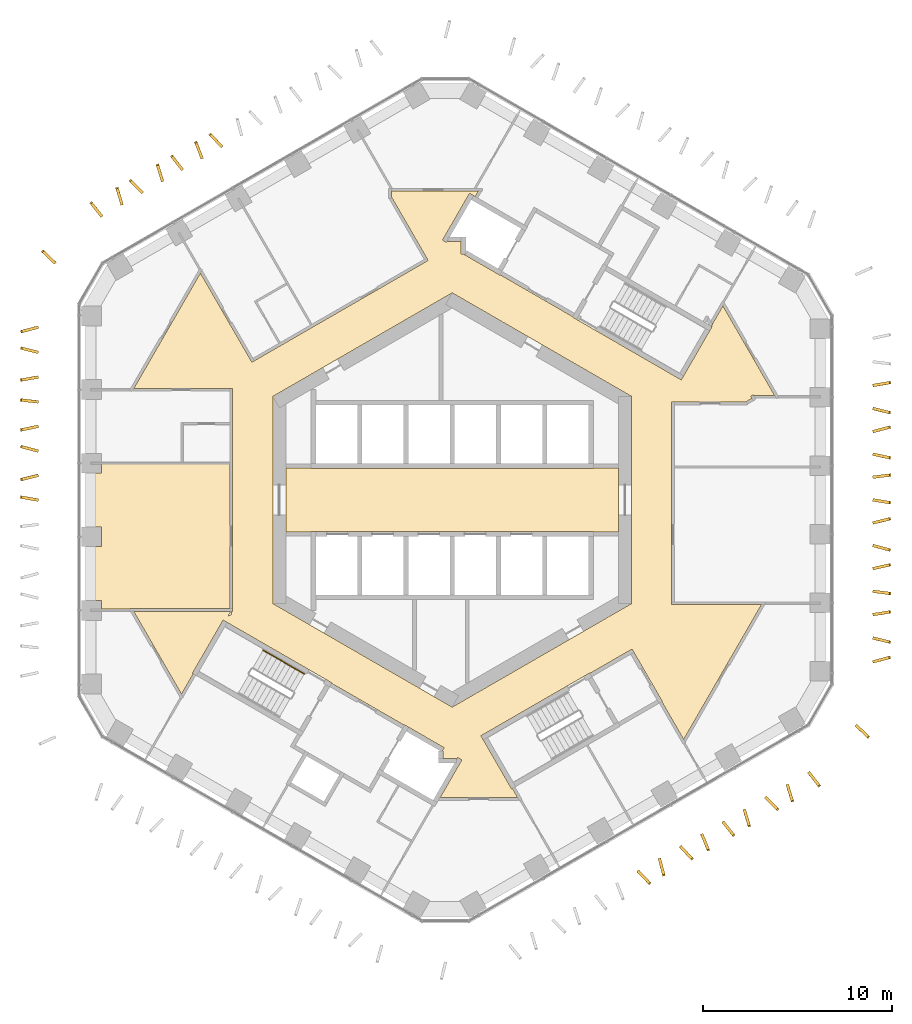
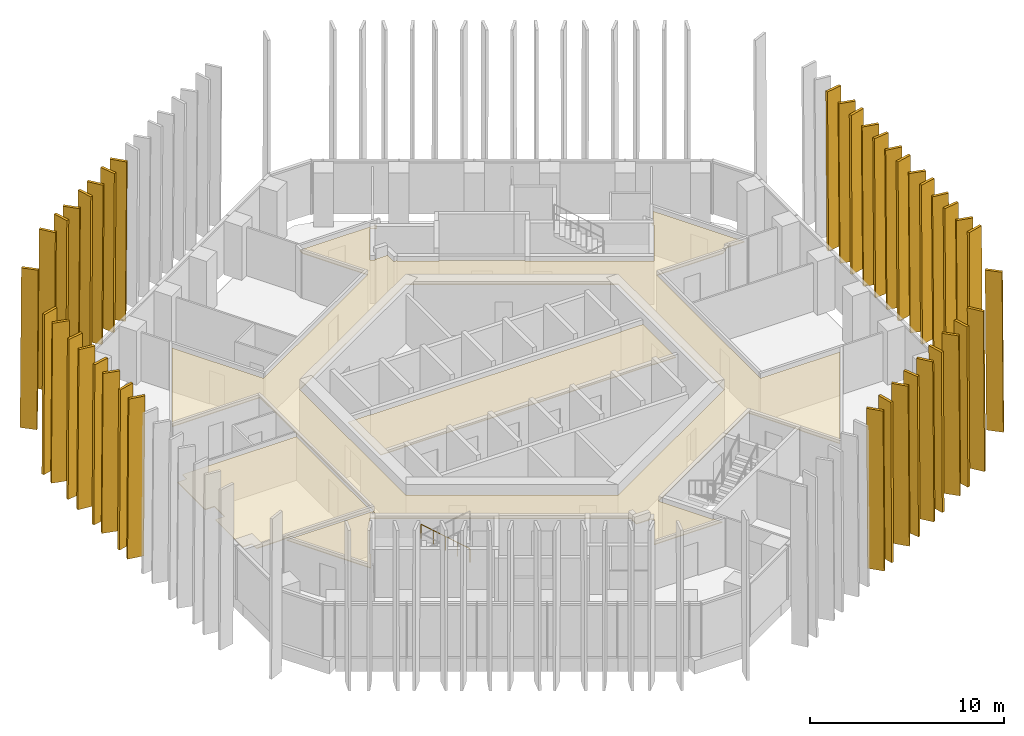
# One storey, part 18 of 19: 39 shading devices, 3 coverings, 2 railings.
"""IFC4 building model written with IfcOpenShell, lengths in metres."""

from ifc_helpers import new_model, si_unit, direction, frame, origin, origin_2d, place, context, subcontext, project, spatial, polyline, circle, outline, extrude, material, layer, layer_set, type_object, element, save


model = new_model("IFC4")

# Units and contexts
model_context = context("Model", 3, precision=1e-05, world=origin(), true_north=direction((0.0, 1.0)))
body_context = subcontext(model_context, "Body", "Model", "MODEL_VIEW")
ifc_project = project(units=[si_unit("LENGTHUNIT", "METRE"), si_unit("AREAUNIT", "SQUARE_METRE"), si_unit("VOLUMEUNIT", "CUBIC_METRE"), si_unit("PLANEANGLEUNIT", "RADIAN"), si_unit("MASSUNIT", "GRAM", prefix="KILO")], contexts=[model_context])

# Site, building, storey
site_placement = place(None, origin())
site = spatial("IfcSite", under=ifc_project, at=site_placement, CompositionType="ELEMENT")
building_placement = place(site_placement, origin())
building = spatial("IfcBuilding", under=site, at=building_placement, Name="Ayvan Gate Tower", CompositionType="ELEMENT")
storey_placement = place(building_placement, frame((0.0, 0.0, 103.5)))
storey = spatial("IfcBuildingStorey", under=building, at=storey_placement, Name="L27", CompositionType="ELEMENT", Elevation=103.5)

# Shading devices
ifc_material_1 = material(Name="Bronze anodised aluminium", Category="aluminium")
ifc_layer_1 = layer(ifc_material_1, 0.14990234375)
ifc_layer_set_1 = layer_set([ifc_layer_1], Name="Bronze anodised aluminium")
shading_device_type = type_object("IfcShadingDeviceType", Name="Bronze fin 900 x 150", PredefinedType="USERDEFINED", material=ifc_layer_set_1)
shading_device_1_placement = place(storey_placement, frame((-12.169921875, 18.79052734375, 0.0), z_axis=(0.729266398024, 0.684229857075, 0.000152973453), x_axis=(-0.68422986508, 0.729266406557, 0.0)))
element("IfcShadingDevice", 1, at=shading_device_1_placement, inside=storey, type_object=shading_device_type, Name="Bronze fin FG09.1.9", ObjectType="FIN", PredefinedType="USERDEFINED", context=body_context, shape_type="SweptSolid", body=[
    extrude(outline(polyline([(0.0, 0.0), (0.8998769093156884, 1.3552527156068805e-20), (0.8290121296179747, 10.080078242941338), (-0.07086477969771379, 10.080078242941338), (0.0, 0.0)])), origin(), (0.0, 0.0, -1.0), 0.14990234375),
])
shading_device_2_placement = place(storey_placement, frame((-13.192626953125, 18.168212890625, 0.0), z_axis=(0.929854955942, 0.367926267948, 0.000149210287), x_axis=(-0.367926272044, 0.929854966293, 0.0)))
element("IfcShadingDevice", 2, at=shading_device_2_placement, inside=storey, type_object=shading_device_type, Name="Bronze fin FG09.1.10", ObjectType="FIN", PredefinedType="USERDEFINED", context=body_context, shape_type="SweptSolid", body=[
    extrude(outline(polyline([(0.0, 0.0), (0.8997853990180332, 6.776263578034403e-21), (0.8289648169115514, 10.08007823720997), (-0.0708205821064818, 10.08007823720997), (0.0, 0.0)])), origin(), (0.0, 0.0, -1.0), 0.14990234375),
])
shading_device_3_placement = place(storey_placement, frame((-14.258544921875, 17.577392578125, 0.0), z_axis=(0.787545056247, 0.616257057962, 0.000151301254), x_axis=(-0.616257065015, 0.787545065263, -1.2644e-08)))
element("IfcShadingDevice", 3, at=shading_device_3_placement, inside=storey, type_object=shading_device_type, Name="Bronze fin FG09.1.11", ObjectType="FIN", PredefinedType="USERDEFINED", context=body_context, shape_type="SweptSolid", body=[
    extrude(outline(polyline([(0.0, 0.0), (0.9001872366298778, -1.3552527156068805e-20), (0.8292089037292933, 10.080078250861376), (-0.07078606115613549, 10.080078228100023), (0.0, 0.0)])), origin(), (0.0, 0.0, -1.0), 0.14990234375),
])
shading_device_4_placement = place(storey_placement, frame((-15.283447265625, 16.95361328125, 0.0), z_axis=(0.956054197166, 0.293189953797, 0.000151901655), x_axis=(-0.29318995718, 0.956054208196, 0.0)))
element("IfcShadingDevice", 4, at=shading_device_4_placement, inside=storey, type_object=shading_device_type, Name="Bronze fin FG09.1.12", ObjectType="FIN", PredefinedType="USERDEFINED", context=body_context, shape_type="SweptSolid", body=[
    extrude(outline(polyline([(0.0, 0.0), (0.9001536688480408, 0.0), (0.8293770256098006, 10.080078241294432), (-0.07077664323824029, 10.080078241294432), (0.0, 0.0)])), origin(), (0.0, 0.0, -1.0), 0.14990234375),
])
shading_device_5_placement = place(storey_placement, frame((-16.37939453125, 16.362548828125, 0.0), z_axis=(0.707106772787, 0.707106772787, 0.00015413585), x_axis=(-0.707106781187, 0.707106781187, 0.0)))
element("IfcShadingDevice", 5, at=shading_device_5_placement, inside=storey, type_object=shading_device_type, Name="Bronze fin FG09.1.13", ObjectType="FIN", PredefinedType="USERDEFINED", context=body_context, shape_type="SweptSolid", body=[
    extrude(outline(polyline([(0.0, 0.0), (0.8997657577012417, 0.0), (0.8291586596774874, 10.080078244740545), (-0.07095236500675563, 10.080078244740545), (0.0, 0.0)])), origin(), (0.0, 0.0, -1.0), 0.14990234375),
])
shading_device_6_placement = place(storey_placement, frame((-17.4287109375, 15.714599609375, 0.0), z_axis=(0.957527130229, 0.288343155647, 0.000139522967), x_axis=(-0.288343158453, 0.957527139549, 0.0)))
element("IfcShadingDevice", 6, at=shading_device_6_placement, inside=storey, type_object=shading_device_type, Name="Bronze fin FG09.1.14", ObjectType="FIN", PredefinedType="USERDEFINED", context=body_context, shape_type="SweptSolid", body=[
    extrude(outline(polyline([(0.0, 0.0), (0.9000438427842659, 1.3552527156068805e-20), (0.82933074749775, 10.08007822311272), (-0.07071309528651587, 10.08007822311272), (0.0, 0.0)])), origin(), (0.0, 0.0, -1.0), 0.14990234375),
])
shading_device_7_placement = place(storey_placement, frame((-18.533203125, 15.10986328125, 0.0), z_axis=(0.784691755216, 0.619886140249, 0.000149742887), x_axis=(-0.619886147197, 0.784691764015, -1.2589e-08)))
element("IfcShadingDevice", 7, at=shading_device_7_placement, inside=storey, type_object=shading_device_type, Name="Bronze fin FG09.1.15", ObjectType="FIN", PredefinedType="USERDEFINED", context=body_context, shape_type="SweptSolid", body=[
    extrude(outline(polyline([(0.0, 0.0), (0.9000373827248702, 0.0), (0.8291074303798363, 10.080078248450485), (-0.07073837720733502, 10.0800782257909), (0.0, 0.0)])), origin(), (0.0, 0.0, -1.0), 0.14990234375),
])
shading_device_8_placement = place(storey_placement, frame((-21.0087890625, 12.63330078125, 0.0), z_axis=(0.69015628431, 0.723660333489, 0.000157993895), x_axis=(-0.723660342523, 0.690156292922, 1.4789e-08)))
element("IfcShadingDevice", 8, at=shading_device_8_placement, inside=storey, type_object=shading_device_type, Name="Bronze fin FG09.2.16", ObjectType="FIN", PredefinedType="USERDEFINED", context=body_context, shape_type="SweptSolid", body=[
    extrude(outline(polyline([(0.0, 0.0), (0.900020362071362, 0.0), (0.8290839704719735, 10.080078238548303), (-0.07075971671107735, 10.0800782651669), (0.0, 0.0)])), origin(), (0.0, 0.0, -1.0), 0.14990234375),
])
shading_device_9_placement = place(storey_placement, frame((-22.003662109375, 9.210205078125, 0.0), z_axis=(-0.255914923378, 0.966699297212, 0.000144088029), x_axis=(-0.966699307247, -0.255914926037, 1.889e-08)))
element("IfcShadingDevice", 9, at=shading_device_9_placement, inside=storey, type_object=shading_device_type, Name="Bronze fin FG09.3.17", ObjectType="FIN", PredefinedType="USERDEFINED", context=body_context, shape_type="SweptSolid", body=[
    extrude(outline(polyline([(0.0, 0.0), (0.9001220754898889, -6.776263578034403e-21), (0.8292562174290887, 10.080078213973565), (-0.07080337883081052, 10.080078247978683), (0.0, 0.0)])), origin(), (0.0, 0.0, -1.0), 0.14990234375),
])
shading_device_10_placement = place(storey_placement, frame((-21.966552734375, 7.905517578125, 0.0), z_axis=(0.242535622626, 0.970142490504, 0.000140981761), x_axis=(-0.970142500145, 0.242535625036, 0.0)))
element("IfcShadingDevice", 10, at=shading_device_10_placement, inside=storey, type_object=shading_device_type, Name="Bronze fin FG09.3.18", ObjectType="FIN", PredefinedType="USERDEFINED", context=body_context, shape_type="SweptSolid", body=[
    extrude(outline(polyline([(0.0, 0.0), (0.8999161204351046, 0.0), (0.829097612734066, 10.080078225175095), (-0.07081850770103863, 10.080078225175095), (0.0, 0.0)])), origin(), (0.0, 0.0, -1.0), 0.14990234375),
])
shading_device_11_placement = place(storey_placement, frame((-21.997802734375, 6.573486328125, 0.0), z_axis=(-0.170488250653, 0.985359698486, 0.000144878341), x_axis=(-0.985359708827, -0.170488252439, -2.271e-08)))
element("IfcShadingDevice", 11, at=shading_device_11_placement, inside=storey, type_object=shading_device_type, Name="Bronze fin FG09.3.19", ObjectType="FIN", PredefinedType="USERDEFINED", context=body_context, shape_type="SweptSolid", body=[
    extrude(outline(polyline([(0.0, 0.0), (0.9001168077884298, -6.776263578034403e-21), (0.8292842470132933, 10.080078249622051), (-0.07063361754847933, 10.080078208743432), (0.0, 0.0)])), origin(), (0.0, 0.0, -1.0), 0.14990234375),
])
shading_device_12_placement = place(storey_placement, frame((-21.976806640625, 5.2734375, 0.0), z_axis=(0.115566216102, 0.993299765861, 0.00015759309), x_axis=(-0.993299778196, 0.115566217537, -2.471e-09)))
element("IfcShadingDevice", 12, at=shading_device_12_placement, inside=storey, type_object=shading_device_type, Name="Bronze fin FG09.3.20", ObjectType="FIN", PredefinedType="USERDEFINED", context=body_context, shape_type="SweptSolid", body=[
    extrude(outline(polyline([(0.0, 0.0), (0.8998295157827781, 0.0), (0.8291020287091718, 10.080078252220758), (-0.07096999190226738, 10.080078247773763), (0.0, 0.0)])), origin(), (0.0, 0.0, -1.0), 0.14990234375),
])
shading_device_13_placement = place(storey_placement, frame((-22.00048828125, 3.963134765625, 0.0), z_axis=(-0.208176655792, 0.978091232295, 0.000145911033), x_axis=(-0.978091242708, -0.208176658005, -1.9355e-08)))
element("IfcShadingDevice", 13, at=shading_device_13_placement, inside=storey, type_object=shading_device_type, Name="Bronze fin FG09.3.21", ObjectType="FIN", PredefinedType="USERDEFINED", context=body_context, shape_type="SweptSolid", body=[
    extrude(outline(polyline([(0.0, 0.0), (0.9000655561265855, 0.0), (0.8292651794537111, 10.08007824835339), (-0.07085120105227016, 10.080078213510046), (0.0, 0.0)])), origin(), (0.0, 0.0, -1.0), 0.14990234375),
])
shading_device_14_placement = place(storey_placement, frame((-21.96533203125, 2.677734375, 0.0), z_axis=(0.256075224563, 0.966656846113, 0.000145698451), x_axis=(-0.966656856373, 0.256075227282, -5.061e-09)))
element("IfcShadingDevice", 14, at=shading_device_14_placement, inside=storey, type_object=shading_device_type, Name="Bronze fin FG09.3.22", ObjectType="FIN", PredefinedType="USERDEFINED", context=body_context, shape_type="SweptSolid", body=[
    extrude(outline(polyline([(0.0, 0.0), (0.8998860824732329, 0.0), (0.8292765040511304, 10.0800782361872), (-0.07084557863117784, 10.080078227077177), (0.0, 0.0)])), origin(), (0.0, 0.0, -1.0), 0.14990234375),
])
shading_device_15_placement = place(storey_placement, frame((-22.0029296875, 1.36376953125, 0.0), z_axis=(-0.242918566975, 0.97004667281, 0.000149630499), x_axis=(-0.970046683669, -0.242918569697, 1.9686e-08)))
element("IfcShadingDevice", 15, at=shading_device_15_placement, inside=storey, type_object=shading_device_type, Name="Bronze fin FG09.3.23", ObjectType="FIN", PredefinedType="USERDEFINED", context=body_context, shape_type="SweptSolid", body=[
    extrude(outline(polyline([(0.0, 0.0), (0.900034662902165, 0.0), (0.8291576839711273, 10.080078221519853), (-0.07081767263960788, 10.080078256955348), (0.0, 0.0)])), origin(), (0.0, 0.0, -1.0), 0.14990234375),
])
shading_device_16_placement = place(storey_placement, frame((-21.97216796875, 0.0791015625, 0.0), z_axis=(0.172663272316, 0.984980898315, 0.000156035365), x_axis=(-0.984980910306, 0.172663274421, -2.0845e-08)))
element("IfcShadingDevice", 16, at=shading_device_16_placement, inside=storey, type_object=shading_device_type, Name="Bronze fin FG09.3.24", ObjectType="FIN", PredefinedType="USERDEFINED", context=body_context, shape_type="SweptSolid", body=[
    extrude(outline(polyline([(0.0, 0.0), (0.9000127419739711, -3.3881317890172014e-21), (0.8290746983343412, 10.080078264992487), (-0.07089588951989839, 10.080078227470938), (0.0, 0.0)])), origin(), (0.0, 0.0, -1.0), 0.14990234375),
])
shading_device_17_placement = place(storey_placement, frame((9.81982421875, -19.736572265625, 0.0), z_axis=(-0.725378595852, -0.68835010732, 0.000149771304), x_axis=(0.688350115039, -0.725378603989, -1.4737e-08)))
element("IfcShadingDevice", 17, at=shading_device_17_placement, inside=storey, type_object=shading_device_type, Name="Bronze fin FG09.7.55", ObjectType="FIN", PredefinedType="USERDEFINED", context=body_context, shape_type="SweptSolid", body=[
    extrude(outline(polyline([(0.0, 0.0), (0.8999039621391451, 1.3552527156068805e-20), (0.8290579463312783, 10.08007825027313), (-0.07101407003517148, 10.080078223746996), (0.0, 0.0)])), origin(), (0.0, 0.0, -1.0), 0.14990234375),
])
shading_device_18_placement = place(storey_placement, frame((10.9130859375, -19.0625, 0.0), z_axis=(-0.965860211114, -0.259063755544, 0.000152152989), x_axis=(0.259063758543, -0.965860222294, 5.347e-09)))
element("IfcShadingDevice", 18, at=shading_device_18_placement, inside=storey, type_object=shading_device_type, Name="Bronze fin FG09.7.56", ObjectType="FIN", PredefinedType="USERDEFINED", context=body_context, shape_type="SweptSolid", body=[
    extrude(outline(polyline([(0.0, 0.0), (0.8998701857360256, -6.776263578034403e-21), (0.8292447216165261, 10.080078237245544), (-0.07086126983783307, 10.080078246870174), (0.0, 0.0)])), origin(), (0.0, 0.0, -1.0), 0.14990234375),
])
shading_device_19_placement = place(storey_placement, frame((12.068115234375, -18.4375, 0.0), z_axis=(-0.733845813667, -0.679316050803, 0.000157750116), x_axis=(0.679316059255, -0.733845822798, 0.0)))
element("IfcShadingDevice", 19, at=shading_device_19_placement, inside=storey, type_object=shading_device_type, Name="Bronze fin FG09.7.57", ObjectType="FIN", PredefinedType="USERDEFINED", context=body_context, shape_type="SweptSolid", body=[
    extrude(outline(polyline([(0.0, 0.0), (0.8999170808211545, 0.0), (0.8291960781541257, 10.080078250421876), (-0.07072100266702883, 10.080078250421876), (0.0, 0.0)])), origin(), (0.0, 0.0, -1.0), 0.14990234375),
])
shading_device_20_placement = place(storey_placement, frame((13.169189453125, -17.771484375, 0.0), z_axis=(-0.92562471032, -0.378442693698, 0.00015241717), x_axis=(0.378442698094, -0.925624721072, 0.0)))
element("IfcShadingDevice", 20, at=shading_device_20_placement, inside=storey, type_object=shading_device_type, Name="Bronze fin FG09.7.58", ObjectType="FIN", PredefinedType="USERDEFINED", context=body_context, shape_type="SweptSolid", body=[
    extrude(outline(polyline([(0.0, 0.0), (0.8999411894868824, 0.0), (0.8290910088198293, 10.08007824208512), (-0.07085018066705297, 10.08007824208512), (0.0, 0.0)])), origin(), (0.0, 0.0, -1.0), 0.14990234375),
])
shading_device_21_placement = place(storey_placement, frame((14.312255859375, -17.13623046875, 0.0), z_axis=(-0.780114025141, -0.625637343181, 0.000150321243), x_axis=(0.625637350251, -0.780114033953, 1.5903e-08)))
element("IfcShadingDevice", 21, at=shading_device_21_placement, inside=storey, type_object=shading_device_type, Name="Bronze fin FG09.7.59", ObjectType="FIN", PredefinedType="USERDEFINED", context=body_context, shape_type="SweptSolid", body=[
    extrude(outline(polyline([(0.0, 0.0), (0.9001350900094675, 1.3552527156068805e-20), (0.8292944205275393, 10.080078225698802), (-0.07068792598821454, 10.080078254326185), (0.0, 0.0)])), origin(), (0.0, 0.0, -1.0), 0.14990234375),
])
shading_device_22_placement = place(storey_placement, frame((15.4130859375, -16.467041015625, 0.0), z_axis=(-0.958254506114, -0.285916560352, 0.000148422826), x_axis=(0.285916563502, -0.958254516668, 5.757e-09)))
element("IfcShadingDevice", 22, at=shading_device_22_placement, inside=storey, type_object=shading_device_type, Name="Bronze fin FG09.7.60", ObjectType="FIN", PredefinedType="USERDEFINED", context=body_context, shape_type="SweptSolid", body=[
    extrude(outline(polyline([(0.0, 0.0), (0.8998806178719633, 6.776263578034403e-21), (0.829234048569694, 10.080078231255154), (-0.07088051815887769, 10.080078241616985), (0.0, 0.0)])), origin(), (0.0, 0.0, -1.0), 0.14990234375),
])
shading_device_23_placement = place(storey_placement, frame((16.5791015625, -15.8359375, 0.0), z_axis=(-0.707242376875, -0.706971142981, 0.000152789137), x_axis=(0.706971151236, -0.707242385127, 2.9304e-08)))
element("IfcShadingDevice", 23, at=shading_device_23_placement, inside=storey, type_object=shading_device_type, Name="Bronze fin FG09.7.61", ObjectType="FIN", PredefinedType="USERDEFINED", context=body_context, shape_type="SweptSolid", body=[
    extrude(outline(polyline([(0.0, 0.0), (0.9001110081294403, 1.3552527156068805e-20), (0.8293313084220133, 10.080078218354883), (-0.0707797659266385, 10.080078271107928), (0.0, 0.0)])), origin(), (0.0, 0.0, -1.0), 0.14990234375),
])
shading_device_24_placement = place(storey_placement, frame((17.69140625, -15.152587890625, 0.0), z_axis=(-0.955361567871, -0.295439087722, 0.000141708499), x_axis=(0.295439090689, -0.955361577463, 5.68e-09)))
element("IfcShadingDevice", 24, at=shading_device_24_placement, inside=storey, type_object=shading_device_type, Name="Bronze fin FG09.7.62", ObjectType="FIN", PredefinedType="USERDEFINED", context=body_context, shape_type="SweptSolid", body=[
    extrude(outline(polyline([(0.0, 0.0), (0.8997952353535237, 1.3552527156068805e-20), (0.8291835626768105, 10.080078221500965), (-0.07084491524933605, 10.080078231723538), (0.0, 0.0)])), origin(), (0.0, 0.0, -1.0), 0.14990234375),
])
shading_device_25_placement = place(storey_placement, frame((18.857177734375, -14.5107421875, 0.0), z_axis=(-0.791225336151, -0.611524689871, 0.000145293602), x_axis=(0.611524696327, -0.791225344502, 1.559e-08)))
element("IfcShadingDevice", 25, at=shading_device_25_placement, inside=storey, type_object=shading_device_type, Name="Bronze fin FG09.7.63", ObjectType="FIN", PredefinedType="USERDEFINED", context=body_context, shape_type="SweptSolid", body=[
    extrude(outline(polyline([(0.0, 0.0), (0.9001446582347326, -2.710505431213761e-20), (0.8293075893733802, 10.080078218467538), (-0.0706877708397879, 10.080078246531611), (0.0, 0.0)])), origin(), (0.0, 0.0, -1.0), 0.14990234375),
])
shading_device_26_placement = place(storey_placement, frame((21.365234375, -12.0166015625, 0.0), z_axis=(-0.685982090537, -0.727618409595, 0.000146561603), x_axis=(0.727618417411, -0.685982097903, 1.3634e-08)))
element("IfcShadingDevice", 26, at=shading_device_26_placement, inside=storey, type_object=shading_device_type, Name="Bronze fin FG09.8.64", ObjectType="FIN", PredefinedType="USERDEFINED", context=body_context, shape_type="SweptSolid", body=[
    extrude(outline(polyline([(0.0, 0.0), (0.900158432498066, 1.3552527156068805e-20), (0.8293891904675741, 10.080078221953658), (-0.07059160081530376, 10.0800782464968), (0.0, 0.0)])), origin(), (0.0, 0.0, -1.0), 0.14990234375),
])
shading_device_27_placement = place(storey_placement, frame((22.35986328125, -8.629150390625, 0.0), z_axis=(0.25769641441, -0.966225924345, 0.000145340052), x_axis=(0.96622593455, 0.257696417132, 0.0)))
element("IfcShadingDevice", 27, at=shading_device_27_placement, inside=storey, type_object=shading_device_type, Name="Bronze fin FG09.9.65", ObjectType="FIN", PredefinedType="USERDEFINED", context=body_context, shape_type="SweptSolid", body=[
    extrude(outline(polyline([(0.0, 0.0), (0.9000264587751636, 6.776263578034403e-21), (0.8291629904340367, 10.08007823146443), (-0.07086346834112686, 10.08007823146443), (0.0, 0.0)])), origin(), (0.0, 0.0, -1.0), 0.14990234375),
])
shading_device_28_placement = place(storey_placement, frame((22.322998046875, -7.396240234375, 0.0), z_axis=(-0.236978036754, -0.971514996698, 0.000145902368), x_axis=(0.971515007038, -0.236978039279, -1.9227e-08)))
element("IfcShadingDevice", 28, at=shading_device_28_placement, inside=storey, type_object=shading_device_type, Name="Bronze fin FG09.9.66", ObjectType="FIN", PredefinedType="USERDEFINED", context=body_context, shape_type="SweptSolid", body=[
    extrude(outline(polyline([(0.0, 0.0), (0.899930187141573, -6.776263578034403e-21), (0.829178637150433, 10.080078248232514), (-0.07069369402451904, 10.080078213627587), (0.0, 0.0)])), origin(), (0.0, 0.0, -1.0), 0.14990234375),
])
shading_device_29_placement = place(storey_placement, frame((22.353271484375, -6.136474609375, 0.0), z_axis=(0.158699344076, -0.9873269449, 0.000148541553), x_axis=(0.987326955792, 0.158699345828, 3.198e-09)))
element("IfcShadingDevice", 29, at=shading_device_29_placement, inside=storey, type_object=shading_device_type, Name="Bronze fin FG09.9.67", ObjectType="FIN", PredefinedType="USERDEFINED", context=body_context, shape_type="SweptSolid", body=[
    extrude(outline(polyline([(0.0, 0.0), (0.8998344505461328, -3.3881317890172014e-21), (0.8291043045234642, 10.080078233554984), (-0.07097119264273506, 10.080078239310991), (0.0, 0.0)])), origin(), (0.0, 0.0, -1.0), 0.14990234375),
])
shading_device_30_placement = place(storey_placement, frame((22.331787109375, -4.91650390625, 0.0), z_axis=(-0.12857378811, -0.991699935297, 0.000139082058), x_axis=(0.991699944888, -0.128573789354, 0.0)))
element("IfcShadingDevice", 30, at=shading_device_30_placement, inside=storey, type_object=shading_device_type, Name="Bronze fin FG09.9.68", ObjectType="FIN", PredefinedType="USERDEFINED", context=body_context, shape_type="SweptSolid", body=[
    extrude(outline(polyline([(0.0, 0.0), (0.9000485777990384, 0.0), (0.8292120160009138, 10.080078222493606), (-0.07083656179812456, 10.080078222493606), (0.0, 0.0)])), origin(), (0.0, 0.0, -1.0), 0.14990234375),
])
shading_device_31_placement = place(storey_placement, frame((22.357177734375, -3.695068359375, 0.0), z_axis=(0.216729406107, -0.976231705354, 0.000148291841), x_axis=(0.976231716088, 0.21672940849, 0.0)))
element("IfcShadingDevice", 31, at=shading_device_31_placement, inside=storey, type_object=shading_device_type, Name="Bronze fin FG09.9.69", ObjectType="FIN", PredefinedType="USERDEFINED", context=body_context, shape_type="SweptSolid", body=[
    extrude(outline(polyline([(0.0, 0.0), (0.9000548690388707, 0.0), (0.8291125801304399, 10.080078235832831), (-0.0709422889084308, 10.080078235832831), (0.0, 0.0)])), origin(), (0.0, 0.0, -1.0), 0.14990234375),
])
shading_device_32_placement = place(storey_placement, frame((22.3212890625, -2.499267578125, 0.0), z_axis=(-0.25782303078, -0.966192146911, 0.000141586956), x_axis=(0.966192156595, -0.257823033367, -1.8553e-08)))
element("IfcShadingDevice", 32, at=shading_device_32_placement, inside=storey, type_object=shading_device_type, Name="Bronze fin FG09.9.70", ObjectType="FIN", PredefinedType="USERDEFINED", context=body_context, shape_type="SweptSolid", body=[
    extrude(outline(polyline([(0.0, 0.0), (0.9000893961237624, 6.776263578034403e-21), (0.8291782527146576, 10.08007824142063), (-0.07084819833259905, 10.080078208023311), (0.0, 0.0)])), origin(), (0.0, 0.0, -1.0), 0.14990234375),
])
shading_device_33_placement = place(storey_placement, frame((22.358642578125, -1.274658203125, 0.0), z_axis=(0.237680660575, -0.971343338878, 0.00014699178), x_axis=(0.971343349371, 0.237680663142, 0.0)))
element("IfcShadingDevice", 33, at=shading_device_33_placement, inside=storey, type_object=shading_device_type, Name="Bronze fin FG09.9.71", ObjectType="FIN", PredefinedType="USERDEFINED", context=body_context, shape_type="SweptSolid", body=[
    extrude(outline(polyline([(0.0, 0.0), (0.8998089481598173, 6.776263578034403e-21), (0.8290413579132112, 10.080078233898025), (-0.07076759024660603, 10.080078233898025), (0.0, 0.0)])), origin(), (0.0, 0.0, -1.0), 0.14990234375),
])
shading_device_34_placement = place(storey_placement, frame((22.328857421875, -0.07861328125, 0.0), z_axis=(-0.163299176419, -0.986576585774, 0.000139224321), x_axis=(0.986576595336, -0.163299178002, 0.0)))
element("IfcShadingDevice", 34, at=shading_device_34_placement, inside=storey, type_object=shading_device_type, Name="Bronze fin FG09.9.72", ObjectType="FIN", PredefinedType="USERDEFINED", context=body_context, shape_type="SweptSolid", body=[
    extrude(outline(polyline([(0.0, 0.0), (0.9000207964825616, 3.3881317890172014e-21), (0.8292617178437107, 10.080078222693151), (-0.070759078638851, 10.080078222693151), (0.0, 0.0)])), origin(), (0.0, 0.0, -1.0), 0.14990234375),
])
shading_device_35_placement = place(storey_placement, frame((22.3505859375, 1.139404296875, 0.0), z_axis=(0.121931150137, -0.992538550285, 0.000144308641), x_axis=(0.992538560619, 0.12193115141, 1.9426e-08)))
element("IfcShadingDevice", 35, at=shading_device_35_placement, inside=storey, type_object=shading_device_type, Name="Bronze fin FG09.9.73", ObjectType="FIN", PredefinedType="USERDEFINED", context=body_context, shape_type="SweptSolid", body=[
    extrude(outline(polyline([(0.0, 0.0), (0.9000409207616651, -3.3881317890172014e-21), (0.8291178796257048, 10.080078213852136), (-0.07089327278844806, 10.080078248820282), (0.0, 0.0)])), origin(), (0.0, 0.0, -1.0), 0.14990234375),
])
shading_device_36_placement = place(storey_placement, frame((22.324951171875, 2.33984375, 0.0), z_axis=(-0.212232584327, -0.977219171031, 0.000148050408), x_axis=(0.977219181742, -0.212232586651, 1.9621e-08)))
element("IfcShadingDevice", 36, at=shading_device_36_placement, inside=storey, type_object=shading_device_type, Name="Bronze fin FG09.9.74", ObjectType="FIN", PredefinedType="USERDEFINED", context=body_context, shape_type="SweptSolid", body=[
    extrude(outline(polyline([(0.0, 0.0), (0.900118797503789, 0.0), (0.8293681670198416, 10.08007821919955), (-0.07080244508029755, 10.08007825452227), (0.0, 0.0)])), origin(), (0.0, 0.0, -1.0), 0.14990234375),
])
shading_device_37_placement = place(storey_placement, frame((22.35986328125, 3.56494140625, 0.0), z_axis=(0.25699575176, -0.966412520868, 0.000151945948), x_axis=(0.966412532024, 0.256995754724, -1.9915e-08)))
element("IfcShadingDevice", 37, at=shading_device_37_placement, inside=storey, type_object=shading_device_type, Name="Bronze fin FG09.9.75", ObjectType="FIN", PredefinedType="USERDEFINED", context=body_context, shape_type="SweptSolid", body=[
    extrude(outline(polyline([(0.0, 0.0), (0.9000739334293504, 6.776263578034403e-21), (0.8292719637983059, 10.08007825787734), (-0.07086471273522514, 10.080078222025877), (0.0, 0.0)])), origin(), (0.0, 0.0, -1.0), 0.14990234375),
])
shading_device_38_placement = place(storey_placement, frame((22.32275390625, 4.7587890625, 0.0), z_axis=(-0.240907527144, -0.970548061214, 0.000155686854), x_axis=(0.970548072976, -0.240907530065, -5.088e-09)))
element("IfcShadingDevice", 38, at=shading_device_38_placement, inside=storey, type_object=shading_device_type, Name="Bronze fin FG09.9.76", ObjectType="FIN", PredefinedType="USERDEFINED", context=body_context, shape_type="SweptSolid", body=[
    extrude(outline(polyline([(0.0, 0.0), (0.8997989120444077, 0.0), (0.8292197873548952, 10.08007825138173), (-0.07081607490264151, 10.080078242223754), (0.0, 0.0)])), origin(), (0.0, 0.0, -1.0), 0.14990234375),
])
shading_device_39_placement = place(storey_placement, frame((22.353759765625, 5.99951171875, 0.0), z_axis=(0.167785322725, -0.985823545323, 0.000151542505), x_axis=(0.985823556643, 0.167785324648, -2.0264e-08)))
element("IfcShadingDevice", 39, at=shading_device_39_placement, inside=storey, type_object=shading_device_type, Name="Bronze fin FG09.9.77", ObjectType="FIN", PredefinedType="USERDEFINED", context=body_context, shape_type="SweptSolid", body=[
    extrude(outline(polyline([(0.0, 0.0), (0.8999448572934734, 0.0), (0.8291491587932477, 10.080078257547141), (-0.07083666171425106, 10.080078221073125), (0.0, 0.0)])), origin(), (0.0, 0.0, -1.0), 0.14990234375),
])

# Coverings
ifc_material_2 = material(Name="Plasterboard suspended ceiling")
ifc_layer_2 = layer(ifc_material_2, 0.050048828125)
ifc_layer_set_2 = layer_set([ifc_layer_2], Name="Plasterboard suspended ceiling")
covering_type = type_object("IfcCoveringType", Name="CT-SUSP-50", PredefinedType="CEILING", material=ifc_layer_set_2)
covering_1_placement = place(storey_placement, frame((0.0, 0.0, 2.699951171875)))
element("IfcCovering", 40, at=covering_1_placement, inside=storey, type_object=covering_type, Name="Ceiling Lift Lobby L27", PredefinedType="CEILING", context=body_context, shape_type="SweptSolid", body=[
    extrude(outline(polyline([(7.47509765625, -1.675048828125), (-7.47509765625, -1.675048828125), (-7.47509765625, -1.699951171875), (-8.800048828125, -1.699951171875), (-8.800048828125, 1.699951171875), (-7.47509765625, 1.699951171875), (-7.47509765625, 1.675048828125), (7.47509765625, 1.675048828125), (7.47509765625, 1.699951171875), (8.800048828125, 1.699951171875), (8.800048828125, -1.699951171875), (7.47509765625, -1.699951171875), (7.47509765625, -1.675048828125)])), origin(), (0.0, 0.0, 1.0), 0.050048828125),
])
covering_2_placement = place(storey_placement, frame((0.0, 0.0, 2.699951171875)))
element("IfcCovering", 41, at=covering_2_placement, inside=storey, type_object=covering_type, Name="Ceiling Ring Corridor L27", PredefinedType="CEILING", context=body_context, shape_type="SweptSolid", body=[
    extrude(outline(polyline([(-11.914794921875, -6.48681640625), (-12.131103515625, -6.36181640625), (-13.756103515625, -9.17626953125), (-13.712890625, -9.201416015625), (-14.335693359375, -10.2802734375), (-16.859619140625, -5.9091796875), (-11.7255859375, -5.9091796875), (-11.870849609375, -6.160888671875), (-11.699951171875, -6.062255859375), (-11.699951171875, -5.9091796875), (-11.625, -5.9091796875), (-11.625, 5.9091796875), (-16.859619140625, 5.9091796875), (-13.33349609375, 12.016357421875), (-10.609619140625, 7.298095703125), (-10.4794921875, 7.373046875), (-1.275390625, 12.68701171875), (-1.350341796875, 12.81689453125), (-3.197509765625, 16.0166015625), (-3.22509765625, 16.000732421875), (-3.22509765625, 16.356201171875), (1.389404296875, 16.356201171875), (1.221923828125, 16.066650390625), (1.135498046875, 16.116455078125), (0.918701171875, 16.241455078125), (-0.511474609375, 13.76416015625), (-0.294921875, 13.63916015625), (-0.215576171875, 13.776611328125), (-0.215576171875, 13.68505859375), (0.47509765625, 13.68505859375), (0.47509765625, 13.03857421875), (0.672119140625, 13.03857421875), (0.645751953125, 12.992919921875), (2.518310546875, 11.91162109375), (2.53076171875, 11.933349609375), (6.384521484375, 9.70849609375), (6.3720703125, 9.686767578125), (6.588623046875, 9.561767578125), (12.131103515625, 6.36181640625), (12.24609375, 6.56103515625), (13.631103515625, 8.959716796875), (13.756103515625, 9.176513671875), (13.681396484375, 9.219482421875), (13.7919921875, 9.283447265625), (13.744384765625, 9.365966796875), (13.7919921875, 9.33837890625), (14.335693359375, 10.2802734375), (17.0732421875, 5.5390625), (15.985595703125, 5.5390625), (15.985595703125, 5.484130859375), (15.93798828125, 5.56640625), (15.80810546875, 5.491455078125), (15.87158203125, 5.3818359375), (15.585205078125, 5.216552734375), (15.601318359375, 5.189208984375), (11.625, 5.189208984375), (11.625, -5.5390625), (16.38037109375, -5.5390625), (12.25732421875, -12.680419921875), (11.102294921875, -10.6796875), (11.123779296875, -10.667236328125), (9.623779296875, -8.069091796875), (9.52392578125, -7.89599609375), (7.2939453125, -9.183349609375), (7.281494140625, -9.16162109375), (1.522216796875, -12.48681640625), (1.647216796875, -12.703369140625), (3.147216796875, -15.30126953125), (3.190673828125, -15.2763671875), (3.46728515625, -15.75537109375), (-0.63818359375, -15.75537109375), (0.511474609375, -13.76416015625), (0.294921875, -13.63916015625), (0.215576171875, -13.776611328125), (0.215576171875, -13.68505859375), (-0.47509765625, -13.68505859375), (-0.47509765625, -13.28857421875), (-0.52783203125, -13.28857421875), (-0.42919921875, -13.117919921875), (-2.284423828125, -12.046630859375), (-2.518310546875, -11.91162109375), (-2.53076171875, -11.933349609375), (-6.384521484375, -9.70849609375), (-6.3720703125, -9.686767578125), (-11.91455078125, -6.48681640625), (-11.914794921875, -6.48681640625)]), holes=[polyline([(9.5, 5.48486328125), (8.771728515625, 5.9052734375), (0.0, 10.9697265625), (-8.771728515625, 5.9052734375), (-9.5, 5.48486328125), (-9.5, -5.48486328125), (-8.771728515625, -5.9052734375), (0.0, -10.9697265625), (8.38720703125, -6.127197265625), (8.771728515625, -5.9052734375), (9.5, -5.48486328125), (9.5, 5.48486328125)])]), origin(), (0.0, 0.0, 1.0), 0.050048828125),
])
covering_3_placement = place(storey_placement, frame((0.0, 0.0, 2.699951171875)))
element("IfcCovering", 42, at=covering_3_placement, inside=storey, type_object=covering_type, Name="Ceiling Study Lounge L27", PredefinedType="CEILING", context=body_context, shape_type="SweptSolid", body=[
    extrude(outline(polyline([(-18.57470703125, 1.423095703125), (-18.57470703125, 1.894775390625), (-11.77490234375, 1.894775390625), (-11.77490234375, -5.759033203125), (-17.064453125, -5.759033203125), (-17.064453125, -5.7841796875), (-18.57470703125, -5.7841796875), (-18.57470703125, -5.3193359375), (-19.12939453125, -5.3193359375), (-19.12939453125, -2.47314453125), (-18.57470703125, -2.47314453125), (-18.57470703125, -1.423095703125), (-19.12939453125, -1.423095703125), (-19.12939453125, 1.423095703125), (-18.57470703125, 1.423095703125)])), origin(), (0.0, 0.0, 1.0), 0.050048828125),
])

# Railings
ifc_material_3 = material(Name="Stainless steel balustrade", Category="steel")
railing_type = type_object("IfcRailingType", Name="RL-HANDRAIL-900", PredefinedType="HANDRAIL", material=ifc_material_3)
railing_1_placement = place(storey_placement, frame((-7.8310546875, -9.2138671875, 0.169921875)))
element("IfcRailing", 43, at=railing_1_placement, inside=storey, type_object=railing_type, Name="L27 STS2 stair handrail 1", PredefinedType="HANDRAIL", context=body_context, shape_type="SweptSolid", body=[
    extrude(circle(Radius=0.02392578125, at=origin_2d()), frame((0.0, 0.0, 0.8759765625), z_axis=(-0.740292964666, 0.42728318766, 0.519033143459), x_axis=(-0.499890179513, -0.866088799389, 0.0)), (0.0, 0.0, 1.0), 1.47412109375),
    extrude(circle(Radius=0.02099609375, at=origin_2d()), origin(), (0.0, 0.0, 1.0), 0.851806640625),
    extrude(circle(Radius=0.02099609375, at=origin_2d()), frame((-0.545654296875, 0.31494140625, 0.382568359375)), (0.0, 0.0, 1.0), 0.851806640625),
    extrude(circle(Radius=0.02099609375, at=origin_2d()), frame((-1.09130859375, 0.6298828125, 0.76513671875)), (0.0, 0.0, 1.0), 0.851806640625),
])
railing_2_placement = place(storey_placement, frame((-8.92236328125, -8.583984375, 0.93505859375)))
element("IfcRailing", 44, at=railing_2_placement, inside=storey, type_object=railing_type, Name="L27 STS2 stair handrail 2", PredefinedType="HANDRAIL", context=body_context, shape_type="SweptSolid", body=[
    extrude(circle(Radius=0.02392578125, at=origin_2d()), frame((0.0, 0.0, 0.8759765625), z_axis=(-0.740229329464, 0.427507697325, 0.518939021976), x_axis=(-0.50011940292, -0.865956455501, 0.0)), (0.0, 0.0, 1.0), 1.473876953125),
    extrude(circle(Radius=0.02099609375, at=origin_2d()), origin(), (0.0, 0.0, 1.0), 0.851806640625),
    extrude(circle(Radius=0.02099609375, at=origin_2d()), frame((-0.54541015625, 0.31494140625, 0.38232421875)), (0.0, 0.0, 1.0), 0.851806640625),
    extrude(circle(Radius=0.02099609375, at=origin_2d()), frame((-1.091064453125, 0.630126953125, 0.764892578125)), (0.0, 0.0, 1.0), 0.851806640625),
])

save(model, "model.ifc")
